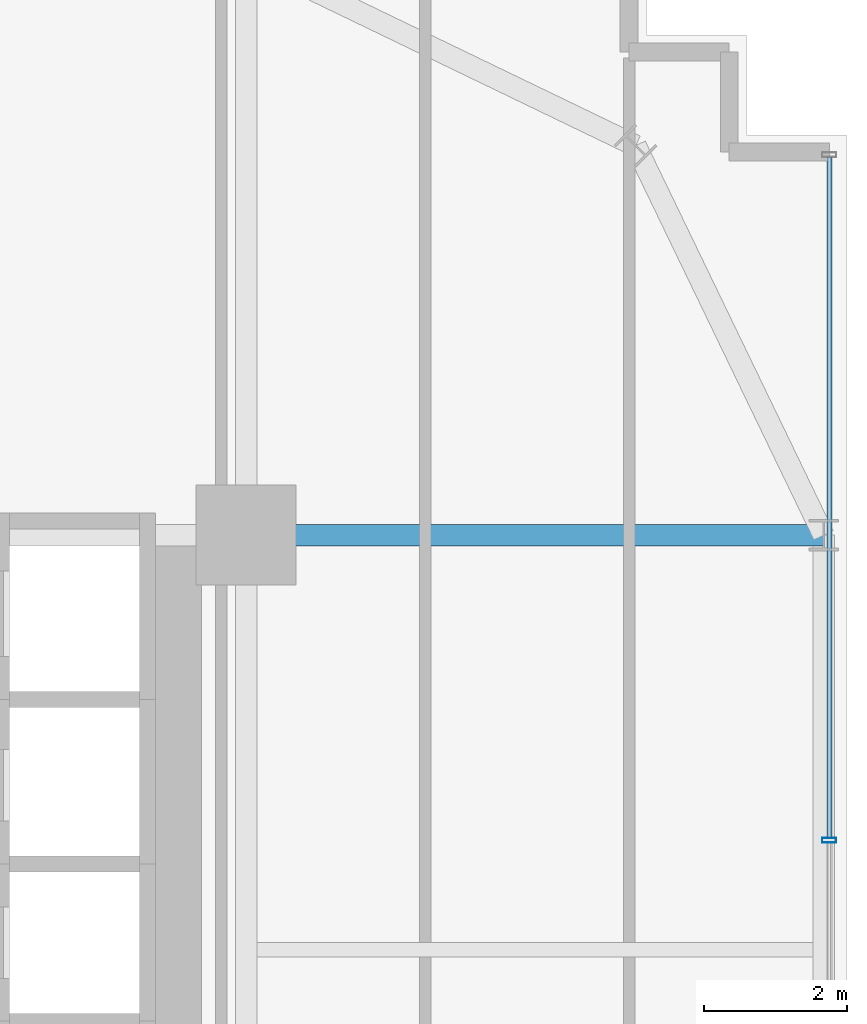
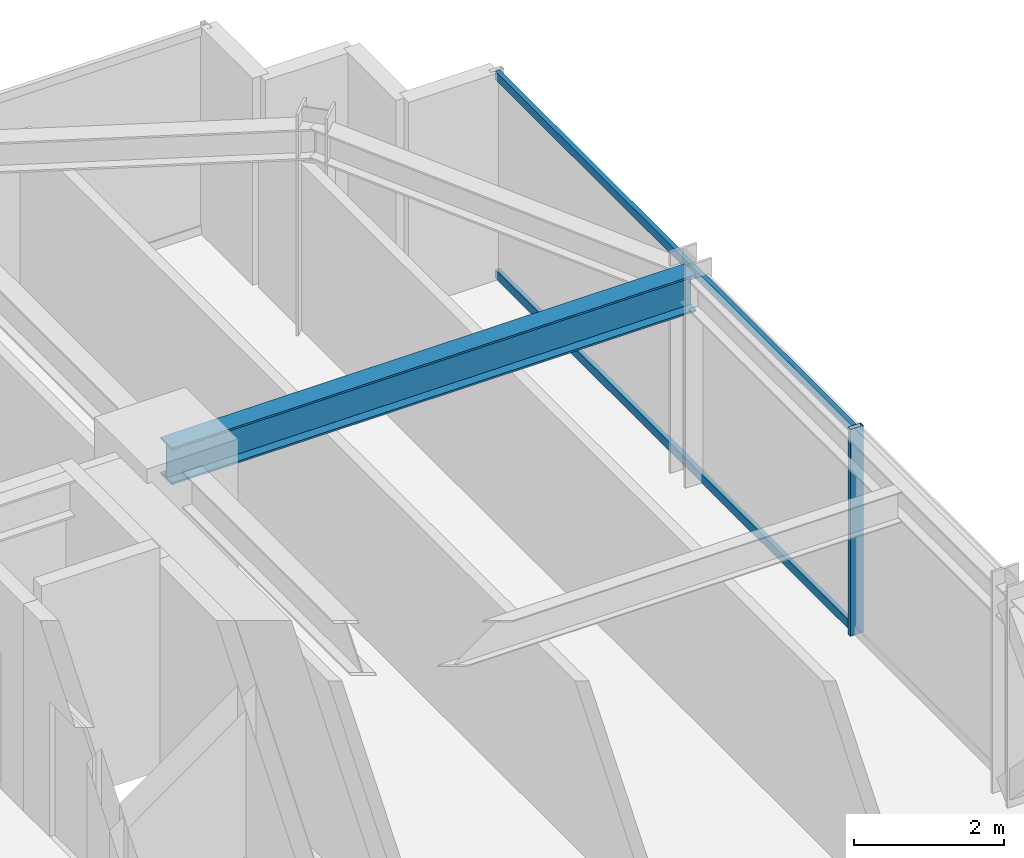
# One storey, part 27 of 38: 3 members, 1 beam, 1 element without a shape of its own.
"""IFC4 building model written with IfcOpenShell, lengths in metres."""

from ifc_helpers import new_model, si_unit, direction, frame, origin, origin_2d, place, context, subcontext, project, spatial, hollow_rectangle, i_section, extrude, source, transform, mapped, material, material_profile, profile_set, type_object, element, aggregate, save


model = new_model("IFC4")

# Units and contexts
model_context = context("Model", 3, precision=1e-05, world=origin(), true_north=direction((0.0, 1.0)))
body_context = subcontext(model_context, "Body", "Model", "MODEL_VIEW")
ifc_project = project(units=[si_unit("LENGTHUNIT", "METRE"), si_unit("AREAUNIT", "SQUARE_METRE"), si_unit("VOLUMEUNIT", "CUBIC_METRE"), si_unit("PLANEANGLEUNIT", "RADIAN"), si_unit("MASSUNIT", "GRAM", prefix="KILO")], contexts=[model_context])

# Site, building, storey
site_placement = place(None, origin())
site = spatial("IfcSite", under=ifc_project, at=site_placement, CompositionType="ELEMENT")
building_placement = place(site_placement, origin())
building = spatial("IfcBuilding", under=site, at=building_placement, Name="Nahalor Promenade Grand Hotel", CompositionType="ELEMENT")
storey_placement = place(building_placement, frame((0.0, 0.0, 50.64990234375)))
storey = spatial("IfcBuildingStorey", under=building, at=storey_placement, Name="L11", CompositionType="ELEMENT", Elevation=50.64990234375)

# Beam
ifc_material_1 = material(Name="Steel S355JR", Category="steel")
ifc_material_profile_1 = material_profile(ifc_material_1, i_section(OverallWidth=0.3, OverallDepth=0.6, WebThickness=0.0155, FlangeThickness=0.03, at=origin_2d()), Name="HEB 600")
ifc_profile_set_1 = profile_set([ifc_material_profile_1], Name="Steel S355JR")
beam_type = type_object("IfcBeamType", Name="Beam-Girder-HEB600", PredefinedType="BEAM", material=ifc_profile_set_1)
shared_shape_1 = source(origin(), body_context, "Body", "SweptSolid", [
    extrude(i_section(OverallWidth=0.3, OverallDepth=0.6, WebThickness=0.0155, FlangeThickness=0.03, at=origin_2d()), origin(), (0.0, 0.0, 1.0), 8.080078125),
])
beam_placement = place(storey_placement, frame((17.0, 17.0, 3.070068359375), z_axis=(1.0, 0.0, 0.0), x_axis=(0.0, 1.0, 0.0)))
element("IfcBeam", 1, at=beam_placement, inside=storey, type_object=beam_type, Name="BM-L11-GX-3-6", PredefinedType="BEAM", context=body_context, shape_type="MappedRepresentation", body=[
    mapped(shared_shape_1, transform((0.0, 0.0, 0.0), scale=1.0)),
])

# Curtain wall, members
ifc_material_2 = material(Name="Anodised Bronze Aluminium EN AW-6063 T6", Category="aluminium")
curtain_wall_type = type_object("IfcCurtainWallType", Name="CW3 Elliptical-Void Collar Unitised Curtain Wall", PredefinedType="USERDEFINED", material=ifc_material_2)
curtain_wall_placement = place(storey_placement, origin())
curtain_wall = element("IfcCurtainWall", 2, at=curtain_wall_placement, inside=storey, type_object=curtain_wall_type, Name="L11 Curtain Wall CW-L11-E-2", ObjectType="UNITISED_CURTAIN_WALL", PredefinedType="USERDEFINED")
ifc_material_profile_2 = material_profile(ifc_material_2, hollow_rectangle(XDim=0.07, YDim=0.2, WallThickness=0.005, at=origin_2d()), Name="CWM 70x200x5")
ifc_profile_set_2 = profile_set([ifc_material_profile_2], Name="Anodised Bronze Aluminium EN AW-6063 T6")
member_type_1 = type_object("IfcMemberType", Name="CWM3 Void Collar Mullion 70x200", PredefinedType="MULLION", material=ifc_profile_set_2)
shared_shape_2 = source(origin(), body_context, "Body", "SweptSolid", [
    extrude(hollow_rectangle(XDim=0.07, YDim=0.2, WallThickness=0.005, at=origin_2d()), origin(), (0.0, 0.0, 1.0), 3.3701171875),
])
member_1_placement = place(storey_placement, frame((25.159912109375, 12.72998046875, 0.0), z_axis=(0.0, 0.0, 1.0), x_axis=(0.0, 1.0, 0.0)))
member_1 = element("IfcMember", 3, at=member_1_placement, type_object=member_type_1, Name="CW-L11-E-2 Mullion 1", PredefinedType="MULLION", context=body_context, shape_type="MappedRepresentation", body=[
    mapped(shared_shape_2, transform((0.0, 0.0, 0.0), scale=1.0)),
])
ifc_material_profile_3 = material_profile(ifc_material_2, hollow_rectangle(XDim=0.07, YDim=0.14, WallThickness=0.004, at=origin_2d()), Name="CWT 70x140x4")
ifc_profile_set_3 = profile_set([ifc_material_profile_3], Name="Anodised Bronze Aluminium EN AW-6063 T6")
member_type_2 = type_object("IfcMemberType", Name="CWT3 Void Collar Transom 70x140", PredefinedType="USERDEFINED", material=ifc_profile_set_3)
shared_shape_3 = source(origin(), body_context, "Body", "SweptSolid", [
    extrude(hollow_rectangle(XDim=0.07, YDim=0.14, WallThickness=0.004, at=origin_2d()), origin(), (0.0, 0.0, 1.0), 9.525146484375),
])
member_2_placement = place(storey_placement, frame((25.159912109375, 12.764892578125, 0.070068359375), z_axis=(0.0, 1.0, 0.0), x_axis=(-1.0, 0.0, 0.0)))
member_2 = element("IfcMember", 4, at=member_2_placement, type_object=member_type_2, Name="CW-L11-E-2 Transom 1-0", ObjectType="TRANSOM", PredefinedType="USERDEFINED", context=body_context, shape_type="MappedRepresentation", body=[
    mapped(shared_shape_3, transform((0.0, 0.0, 0.0), scale=1.0)),
])
member_3_placement = place(storey_placement, frame((25.159912109375, 12.764892578125, 3.300048828125), z_axis=(0.0, 1.0, 0.0), x_axis=(-1.0, 0.0, 0.0)))
member_3 = element("IfcMember", 5, at=member_3_placement, type_object=member_type_2, Name="CW-L11-E-2 Transom 1-1", ObjectType="TRANSOM", PredefinedType="USERDEFINED", context=body_context, shape_type="MappedRepresentation", body=[
    mapped(shared_shape_3, transform((0.0, 0.0, 0.0), scale=1.0)),
])
aggregate(curtain_wall, [member_1, member_2, member_3])

save(model, "model.ifc")
